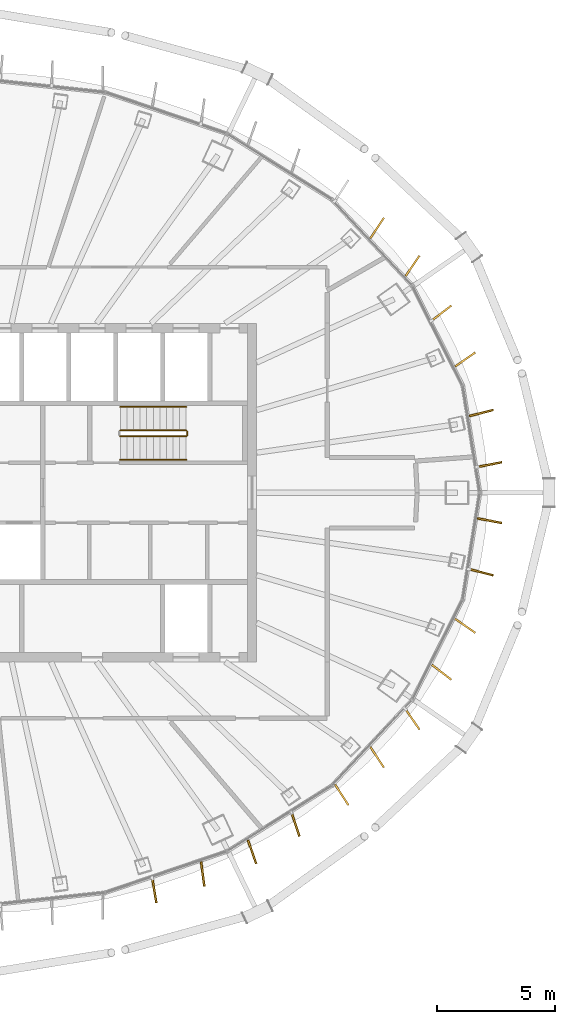
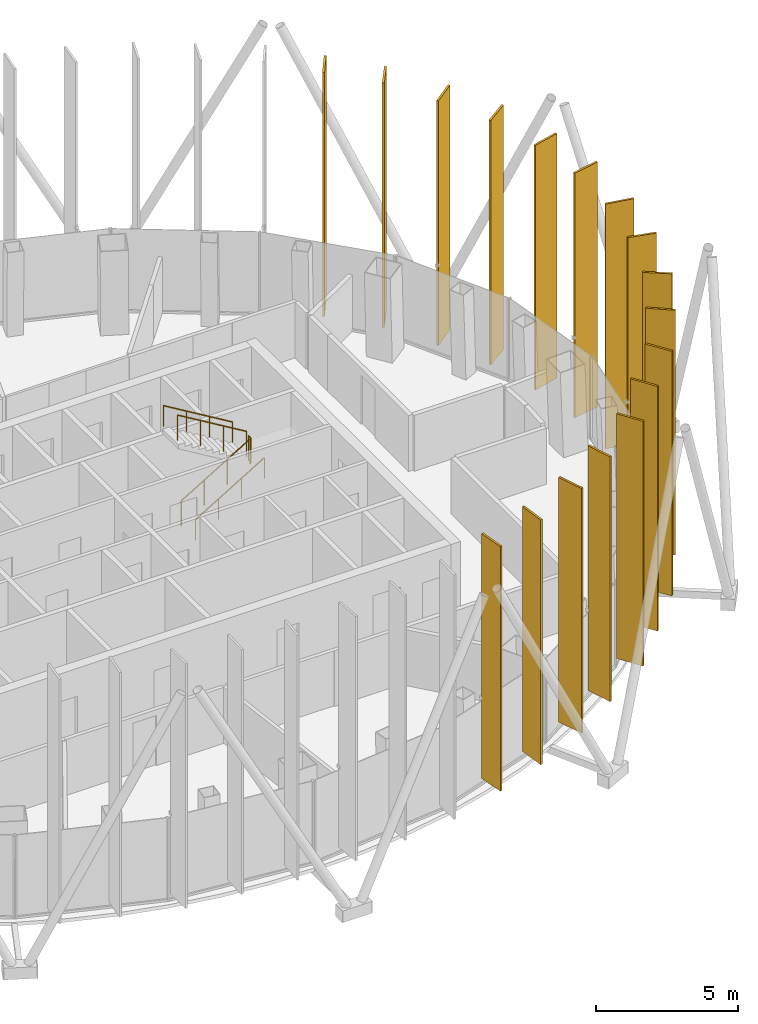
# One storey, part 19 of 20: 17 shading devices, 5 railings.
"""IFC4 building model written with IfcOpenShell, lengths in metres."""

from ifc_helpers import new_model, si_unit, direction, frame, origin, origin_2d, place, context, subcontext, project, spatial, rectangle, circle, extrude, material, layer, layer_set, type_object, element, save


model = new_model("IFC4")

# Units and contexts
model_context = context("Model", 3, precision=1e-05, world=origin(), true_north=direction((0.0, 1.0)))
body_context = subcontext(model_context, "Body", "Model", "MODEL_VIEW")
ifc_project = project(units=[si_unit("LENGTHUNIT", "METRE"), si_unit("AREAUNIT", "SQUARE_METRE"), si_unit("VOLUMEUNIT", "CUBIC_METRE"), si_unit("PLANEANGLEUNIT", "RADIAN"), si_unit("MASSUNIT", "GRAM", prefix="KILO")], contexts=[model_context])

# Site, building, storey
site_placement = place(None, origin())
site = spatial("IfcSite", under=ifc_project, at=site_placement, CompositionType="ELEMENT")
building_placement = place(site_placement, origin())
building = spatial("IfcBuilding", under=site, at=building_placement, Name="Siaravel Broadcast Tower", CompositionType="ELEMENT")
storey_placement = place(building_placement, frame((0.0, 0.0, 228.199951171875)))
storey = spatial("IfcBuildingStorey", under=building, at=storey_placement, Name="L55", CompositionType="ELEMENT", Elevation=228.199951171875)

# Shading devices
ifc_material_1 = material(Name="Bronze anodised aluminium", Category="aluminium")
ifc_layer = layer(ifc_material_1, 0.080078125)
ifc_layer_set = layer_set([ifc_layer], Name="Bronze anodised aluminium")
shading_device_type = type_object("IfcShadingDeviceType", Name="Bronze fin zone 4", PredefinedType="USERDEFINED", material=ifc_layer_set)
for number, where, z_axis, x_axis, name in (
    (1, (21.91064453125, 1.19287109375, 0.300048828125), (0.0, 0.0, 1.0), (0.982091145, 0.188406432, 0.0), "Bronze fin L55-01"),
    (2, (21.555908203125, 3.38916015625, 0.300048828125), (0.0, 0.0, 1.0), (0.96926527, 0.24601796, 0.0), "Bronze fin L55-02"),
    (3, (20.8701171875, 5.664794921875, 0.300048828125), (0.0, 0.0, 1.0), (0.819731251, 0.572748353, 0.0), "Bronze fin L55-03"),
    (4, (19.86669921875, 7.64111328125, 0.300048828125), (0.0, 0.0, 1.0), (0.793974483, 0.607951084, 0.0), "Bronze fin L55-04"),
    (5, (18.632080078125, 9.649658203125, 0.300048828125), (0.0, 0.0, 1.0), (0.564987165, 0.825099693, 0.0), "Bronze fin L55-05"),
    (6, (17.12353515625, 11.256591796875, 0.300048828125), (0.0, 0.0, 1.0), (0.548690177, 0.836025771, 0.0), "Bronze fin L55-06"),
    (7, (7.64453125, -16.934326171875, 0.300048828125), (0.0, 0.0, 1.0), (0.164877185, -0.986314105, 0.0), "Bronze fin L55-46"),
    (8, (9.7041015625, -16.232177734375, 0.300048828125), (0.0, 0.0, 1.0), (0.130489854, -0.991449645, 0.0), "Bronze fin L55-47"),
    (9, (11.802001953125, -15.284912109375, 0.300048828125), (0.0, 0.0, 1.0), (0.332177594, -0.94321686, 0.0), "Bronze fin L55-48"),
    (10, (13.651123046875, -14.1201171875, 0.300048828125), (0.0, 0.0, 1.0), (0.316453788, -0.948607927, 0.0), "Bronze fin L55-49"),
    (11, (15.62060546875, -12.85986328125, 0.300048828125), (0.0, 0.0, 1.0), (0.542752342, -0.839892788, 0.0), "Bronze fin L55-50"),
    (12, (17.12353515625, -11.256591796875, 0.300048828125), (0.0, 0.0, 1.0), (0.548690177, -0.836025771, 0.0), "Bronze fin L55-51"),
    (13, (18.632080078125, -9.649658203125, 0.300048828125), (0.0, 0.0, 1.0), (0.564987165, -0.825099693, 0.0), "Bronze fin L55-52"),
    (14, (19.86669921875, -7.64111328125, 0.300048828125), (0.0, 0.0, 1.0), (0.793974483, -0.607951084, 0.0), "Bronze fin L55-53"),
    (15, (20.8701171875, -5.664794921875, 0.300048828125), (0.0, 0.0, 1.0), (0.819731251, -0.572748353, 0.0), "Bronze fin L55-54"),
    (16, (21.555908203125, -3.38916015625, 0.300048828125), (0.0, 0.0, 1.0), (0.96926527, -0.24601796, 0.0), "Bronze fin L55-55"),
    (17, (21.91064453125, -1.19287109375, 0.300048828125), (0.0, 0.0, 1.0), (0.982091145, -0.188406432, 0.0), "Bronze fin L55-56"),
):
    element("IfcShadingDevice", number, at=place(storey_placement, frame(where, z_axis=z_axis, x_axis=x_axis)), inside=storey, type_object=shading_device_type, Name=name, ObjectType="FIN", PredefinedType="USERDEFINED", context=body_context, shape_type="SweptSolid", body=[
        extrude(rectangle(XDim=1.050048828125, YDim=0.080078125, at=origin_2d()), origin(), (0.0, 0.0, 1.0), 10.5),
    ])

# Railings
ifc_material_2 = material(Name="Stainless steel 316L", Category="steel")
railing_type_1 = type_object("IfcRailingType", Name="Stair guard 1100", PredefinedType="GUARDRAIL", material=ifc_material_2)
railing_1_placement = place(storey_placement, frame((6.199951171875, 2.39990234375, 0.168212890625)))
element("IfcRailing", 18, at=railing_1_placement, inside=storey, type_object=railing_type_1, Name="L55 ST-2 stair guard 1", PredefinedType="GUARDRAIL", context=body_context, shape_type="SweptSolid", body=[
    extrude(circle(Radius=0.02392578125, at=origin_2d()), frame((0.0, 0.0, 1.076171875), z_axis=(0.857242211, 0.0, 0.514913383), x_axis=(0.0, 1.0, 0.0)), (0.0, 0.0, 1.0), 3.266357421875),
    extrude(circle(Radius=0.02099609375, at=origin_2d()), origin(), (0.0, 0.0, 1.0), 1.052001953125),
    extrude(circle(Radius=0.02099609375, at=origin_2d()), frame((0.933349609375, 0.0, 0.560546875)), (0.0, 0.0, 1.0), 1.052001953125),
    extrude(circle(Radius=0.02099609375, at=origin_2d()), frame((1.86669921875, 0.0, 1.121337890625)), (0.0, 0.0, 1.0), 1.052001953125),
    extrude(circle(Radius=0.02099609375, at=origin_2d()), frame((2.800048828125, 0.0, 1.681884765625)), (0.0, 0.0, 1.0), 1.052001953125),
])
railing_2_placement = place(storey_placement, frame((9.050048828125, 2.449951171875, 1.85009765625)))
element("IfcRailing", 19, at=railing_2_placement, inside=storey, type_object=railing_type_1, Name="L55 ST-2 stair guard 2", PredefinedType="GUARDRAIL", context=body_context, shape_type="SweptSolid", body=[
    extrude(circle(Radius=0.02392578125, at=origin_2d()), frame((0.0, 0.0, 1.076171875), z_axis=(0.0, 1.0, 0.0), x_axis=(-1.0, 0.0, 0.0)), (0.0, 0.0, 1.0), 0.150146484375),
    extrude(circle(Radius=0.02099609375, at=origin_2d()), origin(), (0.0, 0.0, 1.0), 1.052001953125),
    extrude(circle(Radius=0.02099609375, at=origin_2d()), frame((0.0, 0.150146484375, 0.0)), (0.0, 0.0, 1.0), 1.052001953125),
])
railing_3_placement = place(storey_placement, frame((9.0, 2.64990234375, 2.018310546875)))
element("IfcRailing", 20, at=railing_3_placement, inside=storey, type_object=railing_type_1, Name="L55 ST-2 stair guard 3", PredefinedType="GUARDRAIL", context=body_context, shape_type="SweptSolid", body=[
    extrude(circle(Radius=0.02392578125, at=origin_2d()), frame((0.0, 0.0, 1.076171875), z_axis=(-0.857275203, 0.0, 0.514858453), x_axis=(0.0, -1.0, 0.0)), (0.0, 0.0, 1.0), 3.26611328125),
    extrude(circle(Radius=0.02099609375, at=origin_2d()), origin(), (0.0, 0.0, 1.0), 1.052001953125),
    extrude(circle(Radius=0.02099609375, at=origin_2d()), frame((-0.933349609375, 0.0, 0.560546875)), (0.0, 0.0, 1.0), 1.052001953125),
    extrude(circle(Radius=0.02099609375, at=origin_2d()), frame((-1.86669921875, 0.0, 1.12109375)), (0.0, 0.0, 1.0), 1.052001953125),
    extrude(circle(Radius=0.02099609375, at=origin_2d()), frame((-2.800048828125, 0.0, 1.681640625)), (0.0, 0.0, 1.0), 1.052001953125),
])
railing_type_2 = type_object("IfcRailingType", Name="Stair handrail 900", PredefinedType="HANDRAIL", material=ifc_material_2)
railing_4_placement = place(storey_placement, frame((6.199951171875, 1.39990234375, 0.168212890625)))
element("IfcRailing", 21, at=railing_4_placement, inside=storey, type_object=railing_type_2, Name="L55 ST-2 stair handrail 1", PredefinedType="HANDRAIL", context=body_context, shape_type="SweptSolid", body=[
    extrude(circle(Radius=0.02392578125, at=origin_2d()), frame((0.0, 0.0, 0.8759765625), z_axis=(0.857242211, 0.0, 0.514913383), x_axis=(0.0, 1.0, 0.0)), (0.0, 0.0, 1.0), 3.266357421875),
    extrude(circle(Radius=0.02099609375, at=origin_2d()), origin(), (0.0, 0.0, 1.0), 0.851806640625),
    extrude(circle(Radius=0.02099609375, at=origin_2d()), frame((0.933349609375, 0.0, 0.560546875)), (0.0, 0.0, 1.0), 0.851806640625),
    extrude(circle(Radius=0.02099609375, at=origin_2d()), frame((1.86669921875, 0.0, 1.121337890625)), (0.0, 0.0, 1.0), 0.851806640625),
    extrude(circle(Radius=0.02099609375, at=origin_2d()), frame((2.800048828125, 0.0, 1.681884765625)), (0.0, 0.0, 1.0), 0.851806640625),
])
railing_5_placement = place(storey_placement, frame((9.0, 3.64990234375, 2.018310546875)))
element("IfcRailing", 22, at=railing_5_placement, inside=storey, type_object=railing_type_2, Name="L55 ST-2 stair handrail 2", PredefinedType="HANDRAIL", context=body_context, shape_type="SweptSolid", body=[
    extrude(circle(Radius=0.02392578125, at=origin_2d()), frame((0.0, 0.0, 0.8759765625), z_axis=(-0.857275203, 0.0, 0.514858453), x_axis=(0.0, -1.0, 0.0)), (0.0, 0.0, 1.0), 3.26611328125),
    extrude(circle(Radius=0.02099609375, at=origin_2d()), origin(), (0.0, 0.0, 1.0), 0.851806640625),
    extrude(circle(Radius=0.02099609375, at=origin_2d()), frame((-0.933349609375, 0.0, 0.560546875)), (0.0, 0.0, 1.0), 0.851806640625),
    extrude(circle(Radius=0.02099609375, at=origin_2d()), frame((-1.86669921875, 0.0, 1.12109375)), (0.0, 0.0, 1.0), 0.851806640625),
    extrude(circle(Radius=0.02099609375, at=origin_2d()), frame((-2.800048828125, 0.0, 1.681640625)), (0.0, 0.0, 1.0), 0.851806640625),
])

save(model, "model.ifc")
